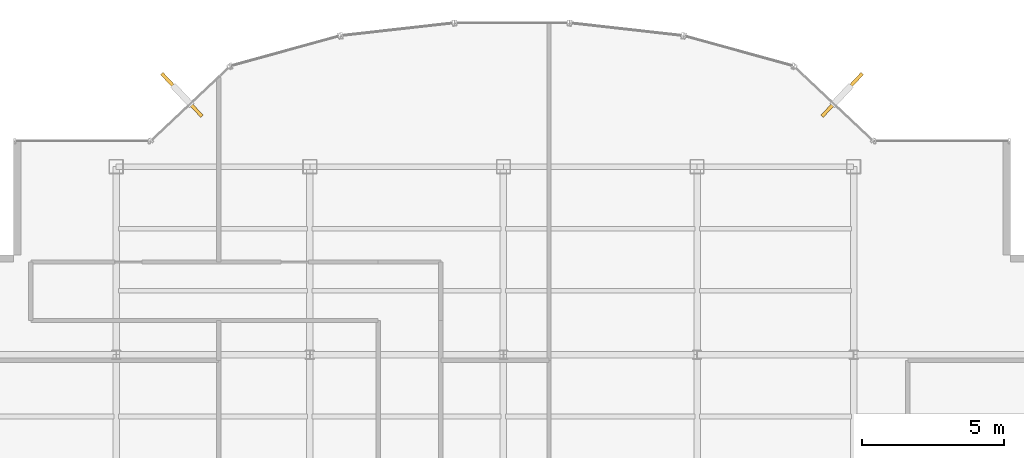
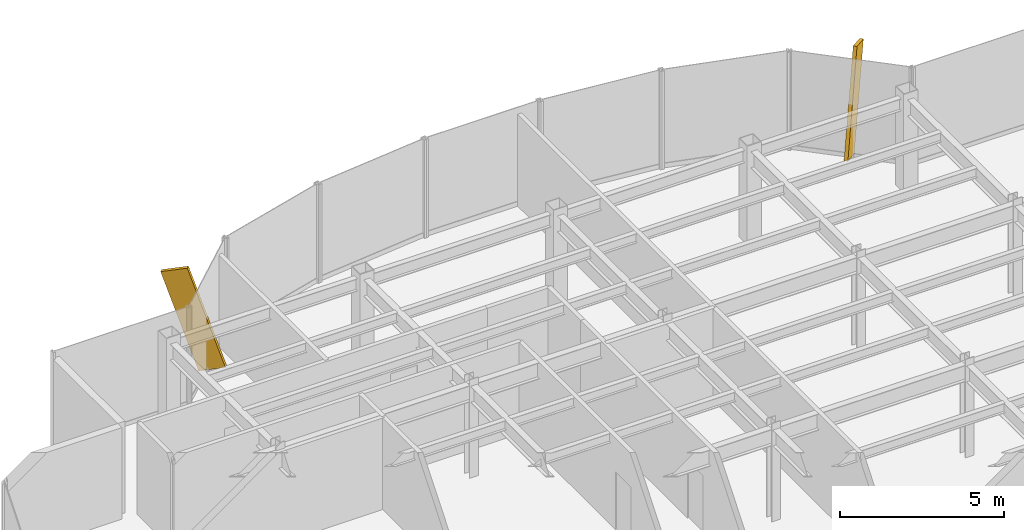
# One storey, part 21 of 22: 2 shading devices.
"""IFC4 building model written with IfcOpenShell, lengths in metres."""

from ifc_helpers import new_model, si_unit, derived_unit, direction, frame, origin, origin_2d, place, context, subcontext, project, spatial, rectangle, extrude, source, transform, mapped, material, type_object, element, save


model = new_model("IFC4")

# Units and contexts
model_context = context("Model", 3, precision=1e-05, world=origin(), true_north=direction((0.0, 1.0)))
body_context = subcontext(model_context, "Body", "Model", "MODEL_VIEW")
ifc_project = project(units=[si_unit("LENGTHUNIT", "METRE"), si_unit("AREAUNIT", "SQUARE_METRE"), si_unit("VOLUMEUNIT", "CUBIC_METRE"), si_unit("PLANEANGLEUNIT", "RADIAN"), si_unit("MASSUNIT", "GRAM", prefix="KILO"), derived_unit("THERMALTRANSMITTANCEUNIT", [(si_unit("POWERUNIT", "WATT"), 1), (si_unit("LENGTHUNIT", "METRE"), -2), (si_unit("THERMODYNAMICTEMPERATUREUNIT", "KELVIN"), -1)])], contexts=[model_context])

# Site, building, storey
site_placement = place(None, origin())
site = spatial("IfcSite", under=ifc_project, at=site_placement, CompositionType="ELEMENT")
building_placement = place(site_placement, origin())
building = spatial("IfcBuilding", under=site, at=building_placement, Name="Skarnbrae Concourse Arena and Tower", CompositionType="ELEMENT")
storey_placement = place(building_placement, frame((0.0, 0.0, 214.14990234375)))
storey = spatial("IfcBuildingStorey", under=building, at=storey_placement, Name="L55", CompositionType="ELEMENT", Elevation=214.14990234375)

# Shading devices
ifc_material = material(Name="Bronze anodised aluminium 6063-T6", Category="aluminium")
shading_device_type = type_object("IfcShadingDeviceType", Name="SHD-BRONZE-FIN-900", PredefinedType="USERDEFINED", material=ifc_material)
shared_shape = source(origin(), body_context, "Body", "SweptSolid", [
    extrude(rectangle(XDim=0.1201171875, YDim=0.89990234375, at=origin_2d()), origin(), (0.0, 0.0, 1.0), 3.64990234375),
])
for number, where, z_axis, x_axis, name in (
    (1, (32.677978515625, 36.478759765625, 0.103515625), (0.227224184045, 0.241377537722, 0.943454320287), (0.728131751529, -0.685437198009, 0.0), "L55 Outward-leaning bronze shading fin 08"),
    (2, (10.322021484375, 36.478759765625, 0.103515625), (-0.227224184045, 0.241377537722, 0.943454320287), (0.728131751529, 0.685437198009, 0.0), "L55 Outward-leaning bronze shading fin 14"),
):
    element("IfcShadingDevice", number, at=place(storey_placement, frame(where, z_axis=z_axis, x_axis=x_axis)), inside=storey, type_object=shading_device_type, Name=name, ObjectType="FIN", PredefinedType="USERDEFINED", context=body_context, shape_type="MappedRepresentation", body=[
        mapped(shared_shape, transform((0.0, 0.0, 0.0))),
    ])

save(model, "model.ifc")
